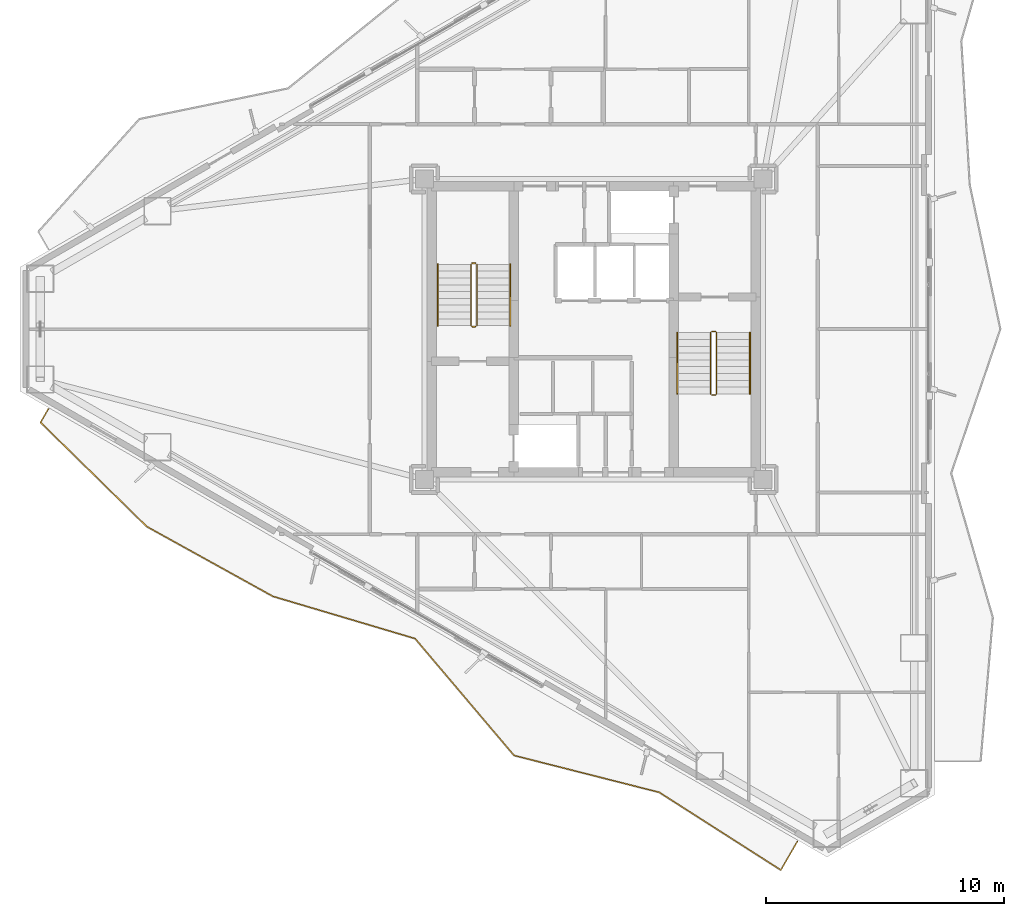
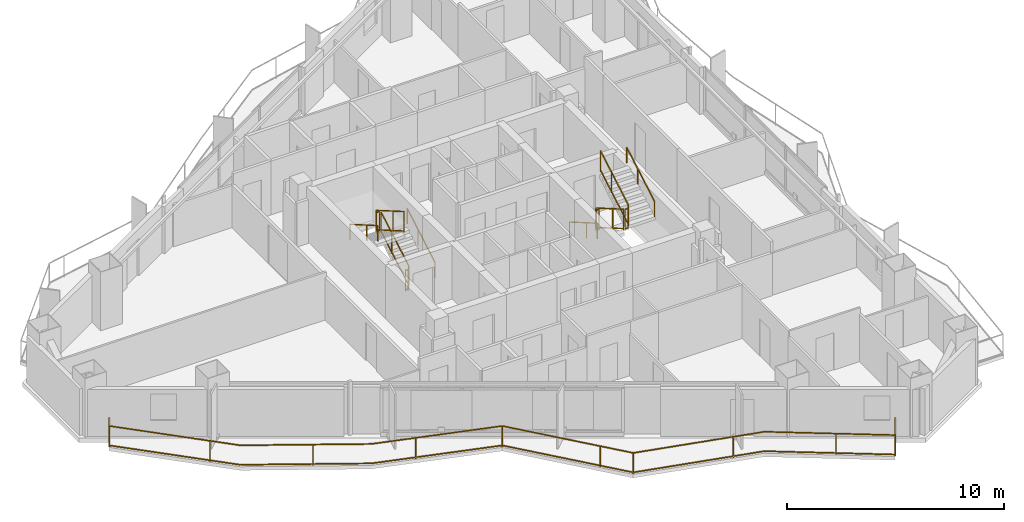
# One storey, part 21 of 22: 13 railings.
"""IFC4 building model written with IfcOpenShell, lengths in metres."""

from ifc_helpers import new_model, si_unit, direction, frame, origin, origin_2d, place, context, subcontext, project, spatial, rectangle, extrude, material, type_object, element, save


model = new_model("IFC4")

# Units and contexts
model_context = context("Model", 3, precision=1e-05, world=origin(), true_north=direction((0.0, 1.0)))
body_context = subcontext(model_context, "Body", "Model", "MODEL_VIEW")
ifc_project = project(units=[si_unit("LENGTHUNIT", "METRE"), si_unit("AREAUNIT", "SQUARE_METRE"), si_unit("VOLUMEUNIT", "CUBIC_METRE"), si_unit("PLANEANGLEUNIT", "RADIAN"), si_unit("MASSUNIT", "GRAM", prefix="KILO")], contexts=[model_context])

# Site, building, storey
site_placement = place(None, origin())
site = spatial("IfcSite", under=ifc_project, at=site_placement, CompositionType="ELEMENT")
building_placement = place(site_placement, origin())
building = spatial("IfcBuilding", under=site, at=building_placement, Name="Mersakhor Tower and Convention Hall", CompositionType="ELEMENT")
storey_placement = place(building_placement, frame((0.0, 0.0, 113.10009765625)))
storey = spatial("IfcBuildingStorey", under=building, at=storey_placement, Name="L31", CompositionType="ELEMENT", Elevation=113.10009765625)

# Railings
ifc_material_1 = material(Name="Powder-coated galvanised steel and laminated glass balustrade", Category="steel")
railing_type_1 = type_object("IfcRailingType", Name="RL-BAL-1200", PredefinedType="BALUSTRADE", material=ifc_material_1)
railing_1_placement = place(storey_placement, frame((6.1240234375, 23.4052734375, 0.0)))
element("IfcRailing", 1, at=railing_1_placement, inside=storey, type_object=railing_type_1, Name="L31 Sinusoidal Balcony Balustrade F3", PredefinedType="BALUSTRADE", context=body_context, shape_type="SweptSolid", body=[
    extrude(rectangle(XDim=0.048095703125, YDim=0.048095703125, at=origin_2d()), frame((0.0, 0.0, 1.17578125), z_axis=(-0.49989585183, -0.866085525409, 0.0), x_axis=(0.866085525409, -0.49989585183, 0.0)), (0.0, 0.0, 1.0), 0.650146484375),
    extrude(rectangle(XDim=0.048095703125, YDim=0.048095703125, at=origin_2d()), frame((0.0, 0.0, 0.080078125), z_axis=(-0.49989585183, -0.866085525409, 0.0), x_axis=(0.866085525409, -0.49989585183, 0.0)), (0.0, 0.0, 1.0), 0.650146484375),
    extrude(rectangle(XDim=0.048095703125, YDim=0.048095703125, at=origin_2d()), frame((-0.324951171875, -0.56298828125, 1.17578125), z_axis=(0.713916445717, -0.700230896587, 0.0), x_axis=(0.700230896587, 0.713916445717, 0.0)), (0.0, 0.0, 1.0), 6.24365234375),
    extrude(rectangle(XDim=0.048095703125, YDim=0.048095703125, at=origin_2d()), frame((-0.324951171875, -0.56298828125, 0.080078125), z_axis=(0.713916445717, -0.700230896587, 0.0), x_axis=(0.700230896587, 0.713916445717, 0.0)), (0.0, 0.0, 1.0), 6.24365234375),
    extrude(rectangle(XDim=0.048095703125, YDim=0.048095703125, at=origin_2d()), frame((4.132568359375, -4.93505859375, 1.17578125), z_axis=(0.875014758497, -0.484096242924, 0.0), x_axis=(0.484096242924, 0.875014758497, 0.0)), (0.0, 0.0, 1.0), 6.04736328125),
    extrude(rectangle(XDim=0.048095703125, YDim=0.048095703125, at=origin_2d()), frame((4.132568359375, -4.93505859375, 0.080078125), z_axis=(0.875014758497, -0.484096242924, 0.0), x_axis=(0.484096242924, 0.875014758497, 0.0)), (0.0, 0.0, 1.0), 6.04736328125),
    extrude(rectangle(XDim=0.048095703125, YDim=0.048095703125, at=origin_2d()), frame((9.424072265625, -7.862548828125, 1.17578125), z_axis=(0.958625602875, -0.284669902718, 0.0), x_axis=(0.284669902718, 0.958625602875, 0.0)), (0.0, 0.0, 1.0), 6.217041015625),
    extrude(rectangle(XDim=0.048095703125, YDim=0.048095703125, at=origin_2d()), frame((9.424072265625, -7.862548828125, 0.080078125), z_axis=(0.958625602875, -0.284669902718, 0.0), x_axis=(0.284669902718, 0.958625602875, 0.0)), (0.0, 0.0, 1.0), 6.217041015625),
    extrude(rectangle(XDim=0.048095703125, YDim=0.048095703125, at=origin_2d()), frame((15.3837890625, -9.63232421875, 1.17578125), z_axis=(0.646213090612, -0.763157022848, 0.0), x_axis=(0.763157022848, 0.646213090612, 0.0)), (0.0, 0.0, 1.0), 6.423828125),
    extrude(rectangle(XDim=0.048095703125, YDim=0.048095703125, at=origin_2d()), frame((15.3837890625, -9.63232421875, 0.080078125), z_axis=(0.646213090612, -0.763157022848, 0.0), x_axis=(0.763157022848, 0.646213090612, 0.0)), (0.0, 0.0, 1.0), 6.423828125),
    extrude(rectangle(XDim=0.048095703125, YDim=0.048095703125, at=origin_2d()), frame((19.534912109375, -14.53466796875, 1.17578125), z_axis=(0.969251369471, -0.246072718475, 0.0), x_axis=(0.246072718475, 0.969251369471, 0.0)), (0.0, 0.0, 1.0), 6.2822265625),
    extrude(rectangle(XDim=0.048095703125, YDim=0.048095703125, at=origin_2d()), frame((19.534912109375, -14.53466796875, 0.080078125), z_axis=(0.969251369471, -0.246072718475, 0.0), x_axis=(0.246072718475, 0.969251369471, 0.0)), (0.0, 0.0, 1.0), 6.2822265625),
    extrude(rectangle(XDim=0.048095703125, YDim=0.048095703125, at=origin_2d()), frame((25.6240234375, -16.08056640625, 1.17578125), z_axis=(0.842618470699, -0.538511014593, 0.0), x_axis=(0.538511014593, 0.842618470699, 0.0)), (0.0, 0.0, 1.0), 6.052490234375),
    extrude(rectangle(XDim=0.048095703125, YDim=0.048095703125, at=origin_2d()), frame((25.6240234375, -16.08056640625, 0.080078125), z_axis=(0.842618470699, -0.538511014593, 0.0), x_axis=(0.538511014593, 0.842618470699, 0.0)), (0.0, 0.0, 1.0), 6.052490234375),
    extrude(rectangle(XDim=0.048095703125, YDim=0.048095703125, at=origin_2d()), frame((30.723876953125, -19.33984375, 1.17578125), z_axis=(0.499925626596, 0.866068339032, 0.0), x_axis=(-0.866068339032, 0.499925626596, 0.0)), (0.0, 0.0, 1.0), 1.386962890625),
    extrude(rectangle(XDim=0.048095703125, YDim=0.048095703125, at=origin_2d()), frame((30.723876953125, -19.33984375, 0.080078125), z_axis=(0.499925626596, 0.866068339032, 0.0), x_axis=(-0.866068339032, 0.499925626596, 0.0)), (0.0, 0.0, 1.0), 1.386962890625),
    extrude(rectangle(XDim=0.0419921875, YDim=0.0419921875, at=origin_2d()), origin(), (0.0, 0.0, 1.0), 1.15185546875),
    extrude(rectangle(XDim=0.0419921875, YDim=0.0419921875, at=origin_2d()), frame((-0.324951171875, -0.56298828125, 0.0)), (0.0, 0.0, 1.0), 1.15185546875),
    extrude(rectangle(XDim=0.0419921875, YDim=0.0419921875, at=origin_2d()), frame((3.101806640625, -3.924072265625, 0.0)), (0.0, 0.0, 1.0), 1.15185546875),
    extrude(rectangle(XDim=0.0419921875, YDim=0.0419921875, at=origin_2d()), frame((7.0693359375, -6.559814453125, 0.0)), (0.0, 0.0, 1.0), 1.15185546875),
    extrude(rectangle(XDim=0.0419921875, YDim=0.0419921875, at=origin_2d()), frame((11.44580078125, -8.462890625, 0.0)), (0.0, 0.0, 1.0), 1.15185546875),
    extrude(rectangle(XDim=0.0419921875, YDim=0.0419921875, at=origin_2d()), frame((15.3837890625, -9.63232421875, 0.0)), (0.0, 0.0, 1.0), 1.15185546875),
    extrude(rectangle(XDim=0.0419921875, YDim=0.0419921875, at=origin_2d()), frame((18.485595703125, -13.29541015625, 0.0)), (0.0, 0.0, 1.0), 1.15185546875),
    extrude(rectangle(XDim=0.0419921875, YDim=0.0419921875, at=origin_2d()), frame((19.534912109375, -14.53466796875, 0.0)), (0.0, 0.0, 1.0), 1.15185546875),
    extrude(rectangle(XDim=0.0419921875, YDim=0.0419921875, at=origin_2d()), frame((24.187255859375, -15.7158203125, 0.0)), (0.0, 0.0, 1.0), 1.15185546875),
    extrude(rectangle(XDim=0.0419921875, YDim=0.0419921875, at=origin_2d()), frame((28.419677734375, -17.8671875, 0.0)), (0.0, 0.0, 1.0), 1.15185546875),
    extrude(rectangle(XDim=0.0419921875, YDim=0.0419921875, at=origin_2d()), frame((30.723876953125, -19.33984375, 0.0)), (0.0, 0.0, 1.0), 1.15185546875),
    extrude(rectangle(XDim=0.0419921875, YDim=0.0419921875, at=origin_2d()), frame((31.417236328125, -18.138671875, 0.0)), (0.0, 0.0, 1.0), 1.15185546875),
])
ifc_material_2 = material(Name="Brushed stainless steel handrail", Category="steel")
railing_type_2 = type_object("IfcRailingType", Name="RL-HR-900", PredefinedType="HANDRAIL", material=ifc_material_2)
railing_2_placement = place(storey_placement, frame((25.5, 26.89990234375, 0.164794921875)))
element("IfcRailing", 2, at=railing_2_placement, inside=storey, type_object=railing_type_2, Name="L31 ST-1 stair handrail 1", PredefinedType="HANDRAIL", context=body_context, shape_type="SweptSolid", body=[
    extrude(rectangle(XDim=0.048095703125, YDim=0.048095703125, at=origin_2d()), frame((0.0, 0.0, 0.8759765625), z_axis=(0.0, 0.865426285481, 0.501036270542), x_axis=(-1.0, 0.0, 0.0)), (0.0, 0.0, 1.0), 2.964111328125),
    extrude(rectangle(XDim=0.0419921875, YDim=0.0419921875, at=origin_2d()), origin(), (0.0, 0.0, 1.0), 0.851806640625),
    extrude(rectangle(XDim=0.0419921875, YDim=0.0419921875, at=origin_2d()), frame((0.0, 1.557861328125, 0.90185546875)), (0.0, 0.0, 1.0), 0.851806640625),
    extrude(rectangle(XDim=0.0419921875, YDim=0.0419921875, at=origin_2d()), frame((0.0, 2.565185546875, 1.485107421875)), (0.0, 0.0, 1.0), 0.851806640625),
])
railing_3_placement = place(storey_placement, frame((22.449951171875, 29.465087890625, 1.81494140625)))
element("IfcRailing", 3, at=railing_3_placement, inside=storey, type_object=railing_type_2, Name="L31 ST-1 stair handrail 2", PredefinedType="HANDRAIL", context=body_context, shape_type="SweptSolid", body=[
    extrude(rectangle(XDim=0.048095703125, YDim=0.048095703125, at=origin_2d()), frame((0.0, 0.0, 0.8759765625), z_axis=(0.0, -0.865461999751, 0.500974577186), x_axis=(1.0, 0.0, 0.0)), (0.0, 0.0, 1.0), 2.9638671875),
    extrude(rectangle(XDim=0.0419921875, YDim=0.0419921875, at=origin_2d()), origin(), (0.0, 0.0, 1.0), 0.851806640625),
    extrude(rectangle(XDim=0.0419921875, YDim=0.0419921875, at=origin_2d()), frame((0.0, -1.557861328125, 0.90185546875)), (0.0, 0.0, 1.0), 0.851806640625),
    extrude(rectangle(XDim=0.0419921875, YDim=0.0419921875, at=origin_2d()), frame((0.0, -2.565185546875, 1.48486328125)), (0.0, 0.0, 1.0), 0.851806640625),
])
railing_4_placement = place(storey_placement, frame((32.5, 26.60009765625, 0.164794921875)))
element("IfcRailing", 4, at=railing_4_placement, inside=storey, type_object=railing_type_2, Name="L31 ST-2 stair handrail 1", PredefinedType="HANDRAIL", context=body_context, shape_type="SweptSolid", body=[
    extrude(rectangle(XDim=0.048095703125, YDim=0.048095703125, at=origin_2d()), frame((0.0, 0.0, 0.8759765625), z_axis=(0.0, -0.865426285481, 0.501036270542), x_axis=(1.0, 0.0, 0.0)), (0.0, 0.0, 1.0), 2.964111328125),
    extrude(rectangle(XDim=0.0419921875, YDim=0.0419921875, at=origin_2d()), origin(), (0.0, 0.0, 1.0), 0.851806640625),
    extrude(rectangle(XDim=0.0419921875, YDim=0.0419921875, at=origin_2d()), frame((0.0, -1.557861328125, 0.90185546875)), (0.0, 0.0, 1.0), 0.851806640625),
    extrude(rectangle(XDim=0.0419921875, YDim=0.0419921875, at=origin_2d()), frame((0.0, -2.565185546875, 1.485107421875)), (0.0, 0.0, 1.0), 0.851806640625),
])
railing_5_placement = place(storey_placement, frame((35.550048828125, 24.034912109375, 1.81494140625)))
element("IfcRailing", 5, at=railing_5_placement, inside=storey, type_object=railing_type_2, Name="L31 ST-2 stair handrail 2", PredefinedType="HANDRAIL", context=body_context, shape_type="SweptSolid", body=[
    extrude(rectangle(XDim=0.048095703125, YDim=0.048095703125, at=origin_2d()), frame((0.0, 0.0, 0.8759765625), z_axis=(0.0, 0.865461999751, 0.500974577186), x_axis=(-1.0, 0.0, 0.0)), (0.0, 0.0, 1.0), 2.9638671875),
    extrude(rectangle(XDim=0.0419921875, YDim=0.0419921875, at=origin_2d()), origin(), (0.0, 0.0, 1.0), 0.851806640625),
    extrude(rectangle(XDim=0.0419921875, YDim=0.0419921875, at=origin_2d()), frame((0.0, 1.557861328125, 0.90185546875)), (0.0, 0.0, 1.0), 0.851806640625),
    extrude(rectangle(XDim=0.0419921875, YDim=0.0419921875, at=origin_2d()), frame((0.0, 2.565185546875, 1.48486328125)), (0.0, 0.0, 1.0), 0.851806640625),
])
ifc_material_3 = material(Name="Painted steel stair balustrade S355", Category="steel")
railing_type_3 = type_object("IfcRailingType", Name="RL-STG-1200", PredefinedType="BALUSTRADE", material=ifc_material_3)
railing_6_placement = place(storey_placement, frame((24.10009765625, 26.89990234375, 0.164794921875)))
element("IfcRailing", 6, at=railing_6_placement, inside=storey, type_object=railing_type_3, Name="L31 ST-1 stair guard 1", PredefinedType="BALUSTRADE", context=body_context, shape_type="SweptSolid", body=[
    extrude(rectangle(XDim=0.048095703125, YDim=0.048095703125, at=origin_2d()), frame((0.0, 0.0, 1.17578125), z_axis=(0.0, 0.865426285481, 0.501036270542), x_axis=(-1.0, 0.0, 0.0)), (0.0, 0.0, 1.0), 2.964111328125),
    extrude(rectangle(XDim=0.048095703125, YDim=0.048095703125, at=origin_2d()), frame((0.0, 0.0, 0.080078125), z_axis=(0.0, 0.865426285481, 0.501036270542), x_axis=(-1.0, 0.0, 0.0)), (0.0, 0.0, 1.0), 2.964111328125),
    extrude(rectangle(XDim=0.0419921875, YDim=0.0419921875, at=origin_2d()), origin(), (0.0, 0.0, 1.0), 1.15185546875),
    extrude(rectangle(XDim=0.0419921875, YDim=0.0419921875, at=origin_2d()), frame((0.0, 1.557861328125, 0.90185546875)), (0.0, 0.0, 1.0), 1.15185546875),
    extrude(rectangle(XDim=0.0419921875, YDim=0.0419921875, at=origin_2d()), frame((0.0, 2.565185546875, 1.485107421875)), (0.0, 0.0, 1.0), 1.15185546875),
])
railing_7_placement = place(storey_placement, frame((24.050048828125, 29.514892578125, 1.64990234375)))
element("IfcRailing", 7, at=railing_7_placement, inside=storey, type_object=railing_type_3, Name="L31 ST-1 stair guard 2", PredefinedType="BALUSTRADE", context=body_context, shape_type="SweptSolid", body=[
    extrude(rectangle(XDim=0.048095703125, YDim=0.048095703125, at=origin_2d()), frame((0.0, 0.0, 1.17578125), z_axis=(-1.0, 0.0, 0.0), x_axis=(0.0, -1.0, 0.0)), (0.0, 0.0, 1.0), 0.150146484375),
    extrude(rectangle(XDim=0.048095703125, YDim=0.048095703125, at=origin_2d()), frame((0.0, 0.0, 0.080078125), z_axis=(-1.0, 0.0, 0.0), x_axis=(0.0, -1.0, 0.0)), (0.0, 0.0, 1.0), 0.150146484375),
    extrude(rectangle(XDim=0.0419921875, YDim=0.0419921875, at=origin_2d()), origin(), (0.0, 0.0, 1.0), 1.15185546875),
    extrude(rectangle(XDim=0.0419921875, YDim=0.0419921875, at=origin_2d()), frame((-0.150146484375, 0.0, 0.0)), (0.0, 0.0, 1.0), 1.15185546875),
])
railing_8_placement = place(storey_placement, frame((23.85009765625, 29.465087890625, 1.81494140625)))
element("IfcRailing", 8, at=railing_8_placement, inside=storey, type_object=railing_type_3, Name="L31 ST-1 stair guard 3", PredefinedType="BALUSTRADE", context=body_context, shape_type="SweptSolid", body=[
    extrude(rectangle(XDim=0.048095703125, YDim=0.048095703125, at=origin_2d()), frame((0.0, 0.0, 1.17578125), z_axis=(0.0, -0.865461999751, 0.500974577186), x_axis=(1.0, 0.0, 0.0)), (0.0, 0.0, 1.0), 2.9638671875),
    extrude(rectangle(XDim=0.048095703125, YDim=0.048095703125, at=origin_2d()), frame((0.0, 0.0, 0.080078125), z_axis=(0.0, -0.865461999751, 0.500974577186), x_axis=(1.0, 0.0, 0.0)), (0.0, 0.0, 1.0), 2.9638671875),
    extrude(rectangle(XDim=0.0419921875, YDim=0.0419921875, at=origin_2d()), origin(), (0.0, 0.0, 1.0), 1.15185546875),
    extrude(rectangle(XDim=0.0419921875, YDim=0.0419921875, at=origin_2d()), frame((0.0, -1.557861328125, 0.90185546875)), (0.0, 0.0, 1.0), 1.15185546875),
    extrude(rectangle(XDim=0.0419921875, YDim=0.0419921875, at=origin_2d()), frame((0.0, -2.565185546875, 1.48486328125)), (0.0, 0.0, 1.0), 1.15185546875),
])
railing_9_placement = place(storey_placement, frame((24.050048828125, 26.85009765625, 0.0)))
element("IfcRailing", 9, at=railing_9_placement, inside=storey, type_object=railing_type_3, Name="L31 ST-1 stair guard 4", PredefinedType="BALUSTRADE", context=body_context, shape_type="SweptSolid", body=[
    extrude(rectangle(XDim=0.048095703125, YDim=0.048095703125, at=origin_2d()), frame((0.0, 0.0, 1.17578125), z_axis=(-1.0, 0.0, 0.0), x_axis=(0.0, -1.0, 0.0)), (0.0, 0.0, 1.0), 0.150146484375),
    extrude(rectangle(XDim=0.048095703125, YDim=0.048095703125, at=origin_2d()), frame((0.0, 0.0, 0.080078125), z_axis=(-1.0, 0.0, 0.0), x_axis=(0.0, -1.0, 0.0)), (0.0, 0.0, 1.0), 0.150146484375),
    extrude(rectangle(XDim=0.0419921875, YDim=0.0419921875, at=origin_2d()), origin(), (0.0, 0.0, 1.0), 1.15185546875),
    extrude(rectangle(XDim=0.0419921875, YDim=0.0419921875, at=origin_2d()), frame((-0.150146484375, 0.0, 0.0)), (0.0, 0.0, 1.0), 1.15185546875),
])
railing_10_placement = place(storey_placement, frame((33.89990234375, 26.60009765625, 0.164794921875)))
element("IfcRailing", 10, at=railing_10_placement, inside=storey, type_object=railing_type_3, Name="L31 ST-2 stair guard 1", PredefinedType="BALUSTRADE", context=body_context, shape_type="SweptSolid", body=[
    extrude(rectangle(XDim=0.048095703125, YDim=0.048095703125, at=origin_2d()), frame((0.0, 0.0, 1.17578125), z_axis=(0.0, -0.865426285481, 0.501036270542), x_axis=(1.0, 0.0, 0.0)), (0.0, 0.0, 1.0), 2.964111328125),
    extrude(rectangle(XDim=0.048095703125, YDim=0.048095703125, at=origin_2d()), frame((0.0, 0.0, 0.080078125), z_axis=(0.0, -0.865426285481, 0.501036270542), x_axis=(1.0, 0.0, 0.0)), (0.0, 0.0, 1.0), 2.964111328125),
    extrude(rectangle(XDim=0.0419921875, YDim=0.0419921875, at=origin_2d()), origin(), (0.0, 0.0, 1.0), 1.15185546875),
    extrude(rectangle(XDim=0.0419921875, YDim=0.0419921875, at=origin_2d()), frame((0.0, -1.557861328125, 0.90185546875)), (0.0, 0.0, 1.0), 1.15185546875),
    extrude(rectangle(XDim=0.0419921875, YDim=0.0419921875, at=origin_2d()), frame((0.0, -2.565185546875, 1.485107421875)), (0.0, 0.0, 1.0), 1.15185546875),
])
railing_11_placement = place(storey_placement, frame((33.949951171875, 23.985107421875, 1.64990234375)))
element("IfcRailing", 11, at=railing_11_placement, inside=storey, type_object=railing_type_3, Name="L31 ST-2 stair guard 2", PredefinedType="BALUSTRADE", context=body_context, shape_type="SweptSolid", body=[
    extrude(rectangle(XDim=0.048095703125, YDim=0.048095703125, at=origin_2d()), frame((0.0, 0.0, 1.17578125), z_axis=(1.0, 0.0, 0.0), x_axis=(0.0, 1.0, 0.0)), (0.0, 0.0, 1.0), 0.150146484375),
    extrude(rectangle(XDim=0.048095703125, YDim=0.048095703125, at=origin_2d()), frame((0.0, 0.0, 0.080078125), z_axis=(1.0, 0.0, 0.0), x_axis=(0.0, 1.0, 0.0)), (0.0, 0.0, 1.0), 0.150146484375),
    extrude(rectangle(XDim=0.0419921875, YDim=0.0419921875, at=origin_2d()), origin(), (0.0, 0.0, 1.0), 1.15185546875),
    extrude(rectangle(XDim=0.0419921875, YDim=0.0419921875, at=origin_2d()), frame((0.150146484375, 0.0, 0.0)), (0.0, 0.0, 1.0), 1.15185546875),
])
railing_12_placement = place(storey_placement, frame((34.14990234375, 24.034912109375, 1.81494140625)))
element("IfcRailing", 12, at=railing_12_placement, inside=storey, type_object=railing_type_3, Name="L31 ST-2 stair guard 3", PredefinedType="BALUSTRADE", context=body_context, shape_type="SweptSolid", body=[
    extrude(rectangle(XDim=0.048095703125, YDim=0.048095703125, at=origin_2d()), frame((0.0, 0.0, 1.17578125), z_axis=(0.0, 0.865461999751, 0.500974577186), x_axis=(-1.0, 0.0, 0.0)), (0.0, 0.0, 1.0), 2.9638671875),
    extrude(rectangle(XDim=0.048095703125, YDim=0.048095703125, at=origin_2d()), frame((0.0, 0.0, 0.080078125), z_axis=(0.0, 0.865461999751, 0.500974577186), x_axis=(-1.0, 0.0, 0.0)), (0.0, 0.0, 1.0), 2.9638671875),
    extrude(rectangle(XDim=0.0419921875, YDim=0.0419921875, at=origin_2d()), origin(), (0.0, 0.0, 1.0), 1.15185546875),
    extrude(rectangle(XDim=0.0419921875, YDim=0.0419921875, at=origin_2d()), frame((0.0, 1.557861328125, 0.90185546875)), (0.0, 0.0, 1.0), 1.15185546875),
    extrude(rectangle(XDim=0.0419921875, YDim=0.0419921875, at=origin_2d()), frame((0.0, 2.565185546875, 1.48486328125)), (0.0, 0.0, 1.0), 1.15185546875),
])
railing_13_placement = place(storey_placement, frame((33.949951171875, 26.64990234375, 0.0)))
element("IfcRailing", 13, at=railing_13_placement, inside=storey, type_object=railing_type_3, Name="L31 ST-2 stair guard 4", PredefinedType="BALUSTRADE", context=body_context, shape_type="SweptSolid", body=[
    extrude(rectangle(XDim=0.048095703125, YDim=0.048095703125, at=origin_2d()), frame((0.0, 0.0, 1.17578125), z_axis=(1.0, 0.0, 0.0), x_axis=(0.0, 1.0, 0.0)), (0.0, 0.0, 1.0), 0.150146484375),
    extrude(rectangle(XDim=0.048095703125, YDim=0.048095703125, at=origin_2d()), frame((0.0, 0.0, 0.080078125), z_axis=(1.0, 0.0, 0.0), x_axis=(0.0, 1.0, 0.0)), (0.0, 0.0, 1.0), 0.150146484375),
    extrude(rectangle(XDim=0.0419921875, YDim=0.0419921875, at=origin_2d()), origin(), (0.0, 0.0, 1.0), 1.15185546875),
    extrude(rectangle(XDim=0.0419921875, YDim=0.0419921875, at=origin_2d()), frame((0.150146484375, 0.0, 0.0)), (0.0, 0.0, 1.0), 1.15185546875),
])

save(model, "model.ifc")
